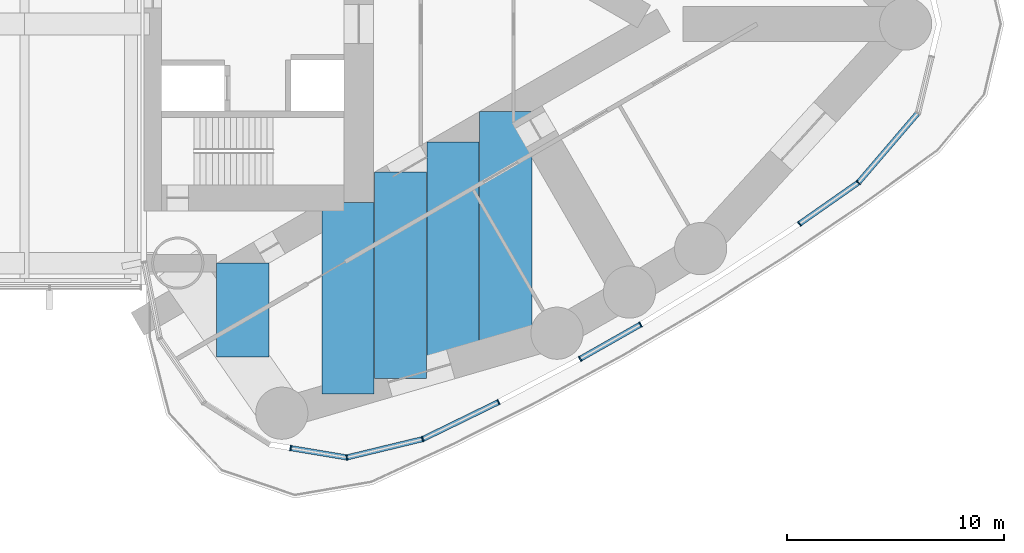
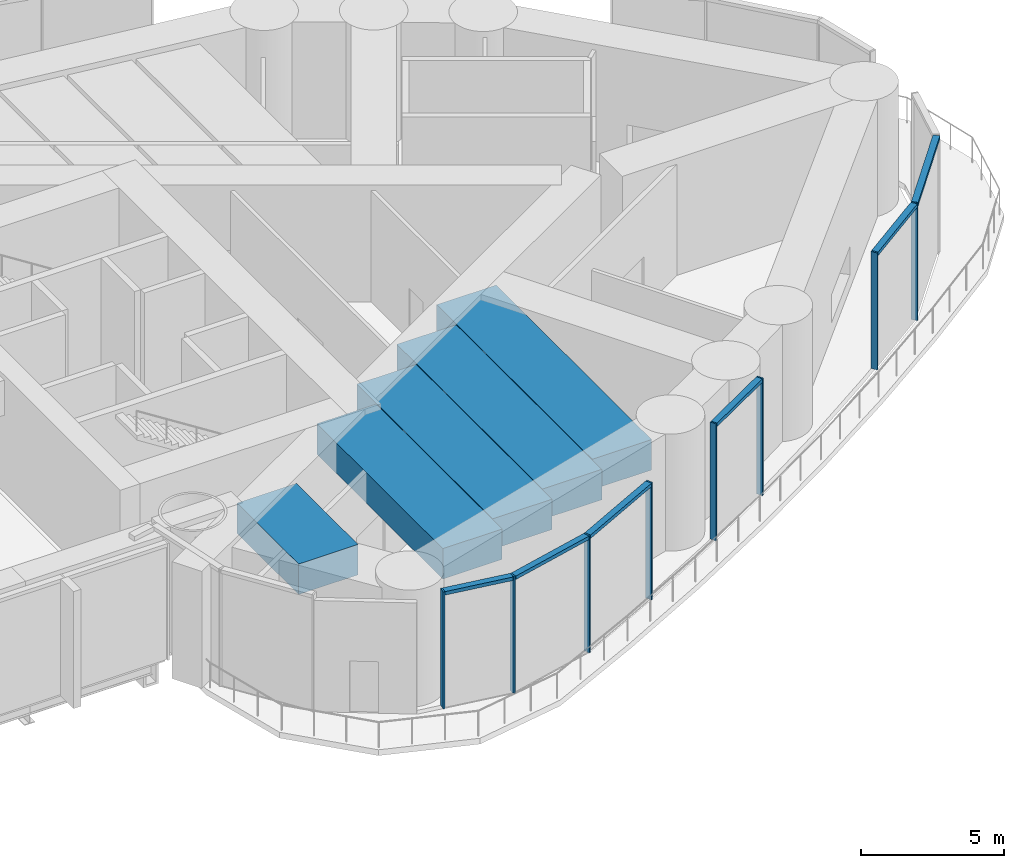
# One storey, part 9 of 22: 14 members, 5 beams, 3 elements without a shape of their own.
"""IFC4 building model written with IfcOpenShell, lengths in metres."""

from ifc_helpers import new_model, si_unit, direction, frame, origin, origin_2d, place, context, subcontext, project, spatial, rectangle, extrude, material, material_profile, profile_set, type_object, element, aggregate, save


model = new_model("IFC4")

# Units and contexts
model_context = context("Model", 3, precision=1e-05, world=origin(), true_north=direction((0.0, 1.0)))
body_context = subcontext(model_context, "Body", "Model", "MODEL_VIEW")
ifc_project = project(units=[si_unit("LENGTHUNIT", "METRE"), si_unit("AREAUNIT", "SQUARE_METRE"), si_unit("VOLUMEUNIT", "CUBIC_METRE"), si_unit("PLANEANGLEUNIT", "RADIAN"), si_unit("MASSUNIT", "GRAM", prefix="KILO")], contexts=[model_context])

# Site, building, storey
site_placement = place(None, origin())
site = spatial("IfcSite", under=ifc_project, at=site_placement, CompositionType="ELEMENT")
building_placement = place(site_placement, origin())
building = spatial("IfcBuilding", under=site, at=building_placement, Name="Lancet Gate Hotel", CompositionType="ELEMENT")
storey_placement = place(building_placement, frame((0.0, 0.0, 210.300048828125)))
storey = spatial("IfcBuildingStorey", under=building, at=storey_placement, Name="L56", CompositionType="ELEMENT", Elevation=210.300048828125)

# Curtain wall, members
ifc_material_1 = material(Name="Aluminium curtain wall", Category="aluminium")
curtain_wall_type = type_object("IfcCurtainWallType", Name="Refuge storey louvred curtain wall", PredefinedType="USERDEFINED", material=ifc_material_1)
curtain_wall_1_placement = place(storey_placement, origin())
curtain_wall_1 = element("IfcCurtainWall", 1, at=curtain_wall_1_placement, inside=storey, type_object=curtain_wall_type, Name="T2 L56 curtain wall 2", ObjectType="LANTERN GLAZING", PredefinedType="USERDEFINED")
ifc_material_2 = material(Name="Aluminium mullion", Category="aluminium")
ifc_material_profile_1 = material_profile(ifc_material_2, rectangle(XDim=0.06494140625, YDim=0.25, at=origin_2d()), Name="MULLION 65x250")
ifc_profile_set_1 = profile_set([ifc_material_profile_1], Name="Aluminium mullion")
member_type_1 = type_object("IfcMemberType", Name="Aluminium mullion 65x250", PredefinedType="MULLION", material=ifc_profile_set_1)
member_1_placement = place(storey_placement, frame((34.241943359375, -19.512939453125, 0.0), z_axis=(0.0, 0.0, 1.0), x_axis=(0.986480101775, -0.163881081283, 0.0)))
member_1 = element("IfcMember", 2, at=member_1_placement, type_object=member_type_1, Name="T2 L56 curtain wall 2 mullion 1", PredefinedType="MULLION", context=body_context, shape_type="SweptSolid", body=[
    extrude(rectangle(XDim=0.06494140625, YDim=0.25, at=origin_2d()), origin(), (0.0, 0.0, 1.0), 5.0),
])
member_2_placement = place(storey_placement, frame((36.826171875, -19.942138671875, 0.0), z_axis=(0.0, 0.0, 1.0), x_axis=(0.997681329925, 0.06805853304, 0.0)))
member_2 = element("IfcMember", 3, at=member_2_placement, type_object=member_type_1, Name="T2 L56 curtain wall 2 mullion 2", PredefinedType="MULLION", context=body_context, shape_type="SweptSolid", body=[
    extrude(rectangle(XDim=0.06494140625, YDim=0.25, at=origin_2d()), origin(), (0.0, 0.0, 1.0), 5.0),
])
member_3_placement = place(storey_placement, frame((40.3173828125, -19.098388671875, 0.0), z_axis=(0.0, 0.0, 1.0), x_axis=(0.939483740419, 0.342593493061, 0.0)))
member_3 = element("IfcMember", 4, at=member_3_placement, type_object=member_type_1, Name="T2 L56 curtain wall 2 mullion 3", PredefinedType="MULLION", context=body_context, shape_type="SweptSolid", body=[
    extrude(rectangle(XDim=0.06494140625, YDim=0.25, at=origin_2d()), origin(), (0.0, 0.0, 1.0), 5.0),
])
member_4_placement = place(storey_placement, frame((43.80810546875, -17.396240234375, 0.0), z_axis=(0.0, 0.0, 1.0), x_axis=(0.898823462202, 0.438310830114, 0.0)))
member_4 = element("IfcMember", 5, at=member_4_placement, type_object=member_type_1, Name="T2 L56 curtain wall 2 mullion 4", PredefinedType="MULLION", context=body_context, shape_type="SweptSolid", body=[
    extrude(rectangle(XDim=0.06494140625, YDim=0.25, at=origin_2d()), origin(), (0.0, 0.0, 1.0), 5.0),
])

curtain_wall_2_placement = place(storey_placement, origin())
curtain_wall_2 = element("IfcCurtainWall", 6, at=curtain_wall_2_placement, inside=storey, type_object=curtain_wall_type, Name="T2 L56 curtain wall 3", ObjectType="LANTERN GLAZING", PredefinedType="USERDEFINED")
member_5_placement = place(storey_placement, frame((47.561279296875, -15.40478515625, 0.0), z_axis=(0.0, 0.0, 1.0), x_axis=(0.869550293306, 0.493844395951, 0.0)))
member_5 = element("IfcMember", 7, at=member_5_placement, type_object=member_type_1, Name="T2 L56 curtain wall 3 mullion 1", PredefinedType="MULLION", context=body_context, shape_type="SweptSolid", body=[
    extrude(rectangle(XDim=0.06494140625, YDim=0.25, at=origin_2d()), origin(), (0.0, 0.0, 1.0), 5.0),
])
member_6_placement = place(storey_placement, frame((50.34375, -13.82470703125, 0.0), z_axis=(0.0, 0.0, 1.0), x_axis=(0.869550293306, 0.493844395951, 0.0)))
member_6 = element("IfcMember", 8, at=member_6_placement, type_object=member_type_1, Name="T2 L56 curtain wall 3 mullion 2", PredefinedType="MULLION", context=body_context, shape_type="SweptSolid", body=[
    extrude(rectangle(XDim=0.06494140625, YDim=0.25, at=origin_2d()), origin(), (0.0, 0.0, 1.0), 5.0),
])

curtain_wall_3_placement = place(storey_placement, origin())
curtain_wall_3 = element("IfcCurtainWall", 9, at=curtain_wall_3_placement, inside=storey, type_object=curtain_wall_type, Name="T2 L56 curtain wall 4", ObjectType="LANTERN GLAZING", PredefinedType="USERDEFINED")
member_7_placement = place(storey_placement, frame((57.651123046875, -9.192626953125, 0.0), z_axis=(0.0, 0.0, 1.0), x_axis=(0.819255034386, 0.573429323137, 0.0)))
member_7 = element("IfcMember", 10, at=member_7_placement, type_object=member_type_1, Name="T2 L56 curtain wall 4 mullion 1", PredefinedType="MULLION", context=body_context, shape_type="SweptSolid", body=[
    extrude(rectangle(XDim=0.06494140625, YDim=0.25, at=origin_2d()), origin(), (0.0, 0.0, 1.0), 5.0),
])
member_8_placement = place(storey_placement, frame((60.367431640625, -7.291259765625, 0.0), z_axis=(0.0, 0.0, 1.0), x_axis=(0.730573479209, 0.682834087811, 0.0)))
member_8 = element("IfcMember", 11, at=member_8_placement, type_object=member_type_1, Name="T2 L56 curtain wall 4 mullion 2", PredefinedType="MULLION", context=body_context, shape_type="SweptSolid", body=[
    extrude(rectangle(XDim=0.06494140625, YDim=0.25, at=origin_2d()), origin(), (0.0, 0.0, 1.0), 5.0),
])

# Member
ifc_material_3 = material(Name="Aluminium transom", Category="aluminium")
ifc_material_profile_2 = material_profile(ifc_material_3, rectangle(XDim=0.25, YDim=0.14990234375, at=origin_2d()), Name="TRANSOM 250x150")
ifc_profile_set_2 = profile_set([ifc_material_profile_2], Name="Aluminium transom")
member_type_2 = type_object("IfcMemberType", Name="Aluminium transom 250x150", PredefinedType="USERDEFINED", material=ifc_profile_set_2)
member_9_placement = place(storey_placement, frame((34.274169921875, -19.518310546875, 4.925048828125), z_axis=(0.986491902822, -0.163810029203, 0.0), x_axis=(0.163810029203, 0.986491902822, 0.0)))
member_9 = element("IfcMember", 12, at=member_9_placement, type_object=member_type_2, Name="T2 L56 curtain wall 2 transom 1", ObjectType="TRANSOM", PredefinedType="USERDEFINED", context=body_context, shape_type="SweptSolid", body=[
    extrude(rectangle(XDim=0.25, YDim=0.14990234375, at=origin_2d()), origin(), (0.0, 0.0, 1.0), 2.554443359375),
])

member_10_placement = place(storey_placement, frame((36.85791015625, -19.9345703125, 4.925048828125), z_axis=(0.972002653858, 0.234969872307, 0.0), x_axis=(-0.234969872307, 0.972002653858, 0.0)))
member_10 = element("IfcMember", 13, at=member_10_placement, type_object=member_type_2, Name="T2 L56 curtain wall 2 transom 2", ObjectType="TRANSOM", PredefinedType="USERDEFINED", context=body_context, shape_type="SweptSolid", body=[
    extrude(rectangle(XDim=0.25, YDim=0.14990234375, at=origin_2d()), origin(), (0.0, 0.0, 1.0), 3.5263671875),
])

member_11_placement = place(storey_placement, frame((40.346435546875, -19.084228515625, 4.925048828125), z_axis=(0.898820051991, 0.438317823206, 0.0), x_axis=(-0.438317823206, 0.898820051991, 0.0)))
member_11 = element("IfcMember", 14, at=member_11_placement, type_object=member_type_2, Name="T2 L56 curtain wall 2 transom 3", ObjectType="TRANSOM", PredefinedType="USERDEFINED", context=body_context, shape_type="SweptSolid", body=[
    extrude(rectangle(XDim=0.25, YDim=0.14990234375, at=origin_2d()), origin(), (0.0, 0.0, 1.0), 3.81884765625),
])

aggregate(curtain_wall_1, [member_1, member_2, member_3, member_4, member_9, member_10, member_11])

member_12_placement = place(storey_placement, frame((47.589599609375, -15.388671875, 4.925048828125), z_axis=(0.869548534496, 0.493847492811, 0.0), x_axis=(-0.493847492811, 0.869548534496, 0.0)))
member_12 = element("IfcMember", 15, at=member_12_placement, type_object=member_type_2, Name="T2 L56 curtain wall 3 transom 1", ObjectType="TRANSOM", PredefinedType="USERDEFINED", context=body_context, shape_type="SweptSolid", body=[
    extrude(rectangle(XDim=0.25, YDim=0.14990234375, at=origin_2d()), origin(), (0.0, 0.0, 1.0), 3.134765625),
])

aggregate(curtain_wall_2, [member_5, member_6, member_12])

member_13_placement = place(storey_placement, frame((57.677734375, -9.174072265625, 4.925048828125), z_axis=(0.819253090698, 0.573432100062, 0.0), x_axis=(-0.573432100062, 0.819253090698, 0.0)))
member_13 = element("IfcMember", 16, at=member_13_placement, type_object=member_type_2, Name="T2 L56 curtain wall 4 transom 1", ObjectType="TRANSOM", PredefinedType="USERDEFINED", context=body_context, shape_type="SweptSolid", body=[
    extrude(rectangle(XDim=0.25, YDim=0.14990234375, at=origin_2d()), origin(), (0.0, 0.0, 1.0), 3.250732421875),
])

member_14_placement = place(storey_placement, frame((60.388427734375, -7.2666015625, 4.925048828125), z_axis=(0.650592500186, 0.759427019997, 0.0), x_axis=(-0.759427019997, 0.650592500186, 0.0)))
member_14 = element("IfcMember", 17, at=member_14_placement, type_object=member_type_2, Name="T2 L56 curtain wall 4 transom 2", ObjectType="TRANSOM", PredefinedType="USERDEFINED", context=body_context, shape_type="SweptSolid", body=[
    extrude(rectangle(XDim=0.25, YDim=0.14990234375, at=origin_2d()), origin(), (0.0, 0.0, 1.0), 4.1455078125),
])

aggregate(curtain_wall_3, [member_7, member_8, member_13, member_14])

# Beams
ifc_material_4 = material(Name="Concrete C50/60", Category="concrete")
ifc_material_profile_3 = material_profile(ifc_material_4, rectangle(XDim=2.39990234375, YDim=1.300048828125, at=origin_2d()), Name="RC 2400x1300")
ifc_profile_set_3 = profile_set([ifc_material_profile_3], Name="Concrete C50/60")
beam_type = type_object("IfcBeamType", Name="Floor beam RC 2400x1300", PredefinedType="BEAM", material=ifc_profile_set_3)
beam_1_placement = place(storey_placement, frame((32.04052734375, -15.31396484375, 4.099853515625), z_axis=(0.0, 1.0, 0.0), x_axis=(-1.0, 0.0, 0.0)))
element("IfcBeam", 18, at=beam_1_placement, inside=storey, type_object=beam_type, Name="T2 floor beam F01S L56", PredefinedType="BEAM", context=body_context, shape_type="SweptSolid", body=[
    extrude(rectangle(XDim=2.39990234375, YDim=1.300048828125, at=origin_2d()), origin(), (0.0, 0.0, 1.0), 4.30859375),
])
beam_2_placement = place(storey_placement, frame((36.880859375, -17.021240234375, 4.099853515625), z_axis=(0.0, 1.0, 0.0), x_axis=(-1.0, 0.0, 0.0)))
element("IfcBeam", 19, at=beam_2_placement, inside=storey, type_object=beam_type, Name="T2 floor beam F03S L56", PredefinedType="BEAM", context=body_context, shape_type="SweptSolid", body=[
    extrude(rectangle(XDim=2.39990234375, YDim=1.300048828125, at=origin_2d()), origin(), (0.0, 0.0, 1.0), 8.810546875),
])
beam_3_placement = place(storey_placement, frame((39.301025390625, -16.31787109375, 4.099853515625), z_axis=(0.0, 1.0, 0.0), x_axis=(-1.0, 0.0, 0.0)))
element("IfcBeam", 20, at=beam_3_placement, inside=storey, type_object=beam_type, Name="T2 floor beam F05S L56", PredefinedType="BEAM", context=body_context, shape_type="SweptSolid", body=[
    extrude(rectangle(XDim=2.39990234375, YDim=1.300048828125, at=origin_2d()), origin(), (0.0, 0.0, 1.0), 9.50439453125),
])
beam_4_placement = place(storey_placement, frame((41.721435546875, -15.6142578125, 4.099853515625), z_axis=(0.0, 1.0, 0.0), x_axis=(-1.0, 0.0, 0.0)))
element("IfcBeam", 21, at=beam_4_placement, inside=storey, type_object=beam_type, Name="T2 floor beam F07S L56", PredefinedType="BEAM", context=body_context, shape_type="SweptSolid", body=[
    extrude(rectangle(XDim=2.39990234375, YDim=1.300048828125, at=origin_2d()), origin(), (0.0, 0.0, 1.0), 10.1982421875),
])
beam_5_placement = place(storey_placement, frame((44.1416015625, -14.910888671875, 4.099853515625), z_axis=(0.0, 1.0, 0.0), x_axis=(-1.0, 0.0, 0.0)))
element("IfcBeam", 22, at=beam_5_placement, inside=storey, type_object=beam_type, Name="T2 floor beam F09S L56", PredefinedType="BEAM", context=body_context, shape_type="SweptSolid", body=[
    extrude(rectangle(XDim=2.39990234375, YDim=1.300048828125, at=origin_2d()), origin(), (0.0, 0.0, 1.0), 10.89208984375),
])

save(model, "model.ifc")
